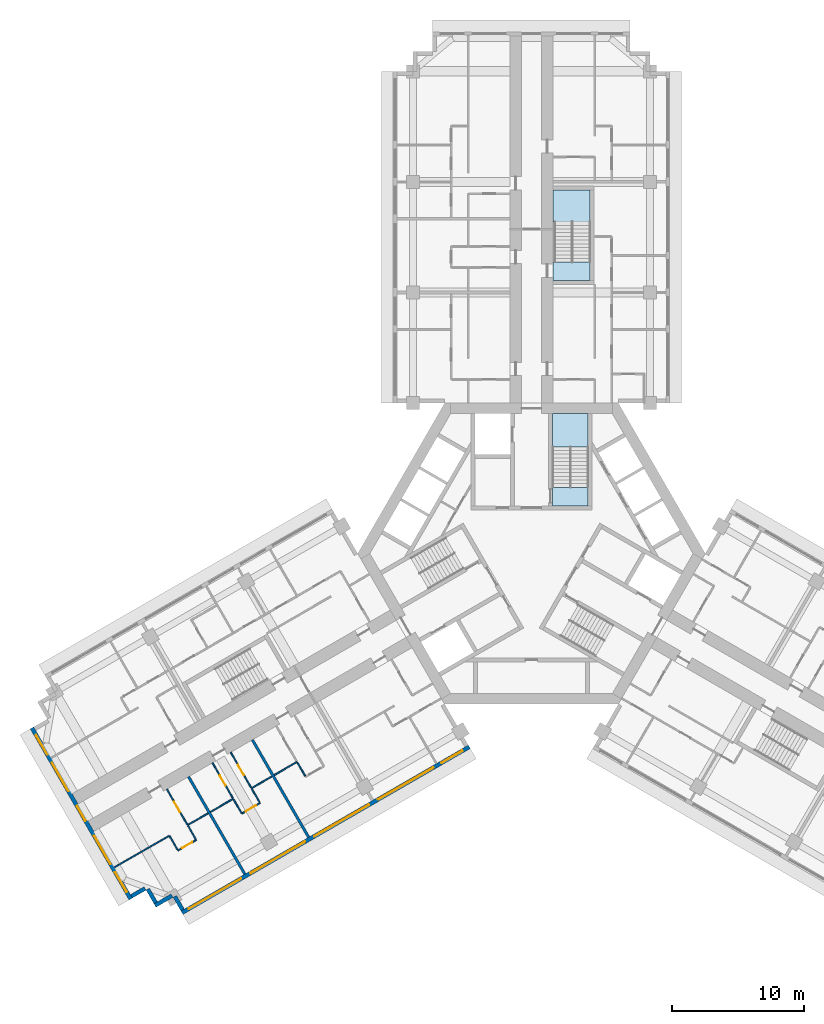
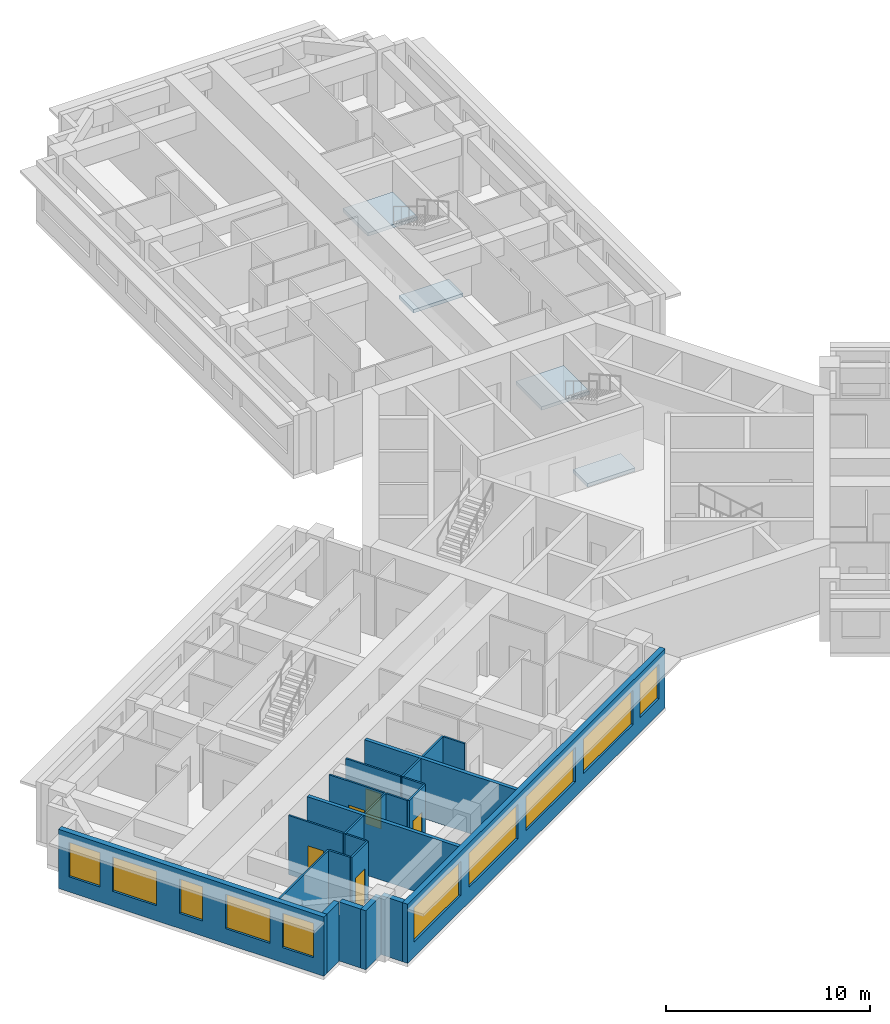
# One storey, part 2 of 13: 23 walls, 10 windows, 5 doors, 4 slabs, 15 openings, 2 elements without a shape of their own.
"""IFC4 building model written with IfcOpenShell, lengths in metres."""

from ifc_helpers import new_model, si_unit, direction, frame, frame_2d, origin, place, context, subcontext, project, spatial, polyline, rectangle, outline, extrude, material, layer, layer_set, type_object, element, fill, aggregate, save


model = new_model("IFC4")

# Units and contexts
model_context = context("Model", 3, precision=1e-05, world=origin(), true_north=direction((0.0, 1.0)))
body_context = subcontext(model_context, "Body", "Model", "MODEL_VIEW")
ifc_project = project(units=[si_unit("LENGTHUNIT", "METRE"), si_unit("AREAUNIT", "SQUARE_METRE"), si_unit("VOLUMEUNIT", "CUBIC_METRE"), si_unit("PLANEANGLEUNIT", "RADIAN"), si_unit("MASSUNIT", "GRAM", prefix="KILO")], contexts=[model_context])

# Site, building, storey
site_placement = place(None, origin())
site = spatial("IfcSite", under=ifc_project, at=site_placement, CompositionType="ELEMENT")
building_placement = place(site_placement, origin())
building = spatial("IfcBuilding", under=site, at=building_placement, Name="Impinga Residences", CompositionType="ELEMENT")
storey_placement = place(building_placement, frame((0.0, 0.0, 139.75)))
storey = spatial("IfcBuildingStorey", under=building, at=storey_placement, Name="L34", CompositionType="ELEMENT", Elevation=139.75)

# Stair, slabs
ifc_material_1 = material(Name="Concrete C40/50", Category="concrete")
stair_type_1 = type_object("IfcStairType", Name="STR core stair 3750 storey, 24 risers", PredefinedType="HALF_TURN_STAIR", material=ifc_material_1)
stair_1_placement = place(storey_placement, origin())
stair_1 = element("IfcStair", 1, at=stair_1_placement, inside=storey, type_object=stair_type_1, Name="Stair ST1 L34", PredefinedType="HALF_TURN_STAIR")
ifc_layer_1 = layer(ifc_material_1, 0.199951171875)
ifc_layer_set_1 = layer_set([ifc_layer_1], Name="Concrete C40/50")
slab_type = type_object("IfcSlabType", Name="LS1 stair landing 200", PredefinedType="LANDING", material=ifc_layer_set_1)
slab_1_placement = place(storey_placement, frame((0.0, 0.0, -0.199951171875)))
slab_1 = element("IfcSlab", 2, at=slab_1_placement, type_object=slab_type, Name="ST1 landing 1", PredefinedType="LANDING", context=body_context, shape_type="SweptSolid", body=[
    extrude(outline(polyline([(1.60009765625, 3.6298828125), (4.300048828125, 3.6298828125), (4.300048828125, 5.0400390625), (1.60009765625, 5.0400390625), (1.60009765625, 3.6298828125)])), origin(), (0.0, 0.0, 1.0), 0.199951171875),
])
slab_2_placement = place(storey_placement, frame((0.0, 0.0, 1.675048828125)))
slab_2 = element("IfcSlab", 3, at=slab_2_placement, type_object=slab_type, Name="ST1 landing 2", PredefinedType="LANDING", context=body_context, shape_type="SweptSolid", body=[
    extrude(outline(polyline([(1.60009765625, 8.10009765625), (4.300048828125, 8.10009765625), (4.300048828125, 10.631591796875), (1.60009765625, 10.631591796875), (1.60009765625, 8.10009765625)])), origin(), (0.0, 0.0, 1.0), 0.199951171875),
])
aggregate(stair_1, [slab_1, slab_2])

stair_type_2 = type_object("IfcStairType", Name="STR wing stair 3750 storey, 24 risers", PredefinedType="HALF_TURN_STAIR", material=ifc_material_1)
stair_2_placement = place(storey_placement, origin())
stair_2 = element("IfcStair", 4, at=stair_2_placement, inside=storey, type_object=stair_type_2, Name="Stair WS1 L34", PredefinedType="HALF_TURN_STAIR")
slab_3_placement = place(storey_placement, frame((0.0, 0.0, -0.199951171875)))
slab_3 = element("IfcSlab", 5, at=slab_3_placement, type_object=slab_type, Name="WS1 landing 1", PredefinedType="LANDING", context=body_context, shape_type="SweptSolid", body=[
    extrude(outline(polyline([(1.64990234375, 20.7314453125), (4.449951171875, 20.7314453125), (4.449951171875, 22.1416015625), (1.64990234375, 22.1416015625), (1.64990234375, 20.7314453125)])), origin(), (0.0, 0.0, 1.0), 0.199951171875),
])
slab_4_placement = place(storey_placement, frame((0.0, 0.0, 1.675048828125)))
slab_4 = element("IfcSlab", 6, at=slab_4_placement, type_object=slab_type, Name="WS1 landing 2", PredefinedType="LANDING", context=body_context, shape_type="SweptSolid", body=[
    extrude(outline(polyline([(1.64990234375, 25.201416015625), (4.449951171875, 25.201416015625), (4.449951171875, 27.631591796875), (1.64990234375, 27.631591796875), (1.64990234375, 25.201416015625)])), origin(), (0.0, 0.0, 1.0), 0.199951171875),
])
aggregate(stair_2, [slab_3, slab_4])

# Wall, openings, windows
ifc_material_2 = material(Name="Terracotta rainscreen on blockwork", Category="masonry")
ifc_layer_2 = layer(ifc_material_2, 0.300048828125)
ifc_layer_set_2 = layer_set([ifc_layer_2], Name="EW1 external wall, terracotta rainscreen on blockwork 300")
wall_type_1 = type_object("IfcWallType", Name="EW1 external wall, terracotta rainscreen on blockwork 300", PredefinedType="SOLIDWALL", material=ifc_layer_set_2)
wall_1_placement = place(storey_placement, frame((-4.72509765625, -14.67919921875, 0.0), z_axis=(0.0, 0.0, 1.0), x_axis=(-0.866026832479, -0.499997525421, 0.0)))
wall_1 = element("IfcWall", 7, at=wall_1_placement, inside=storey, type_object=wall_type_1, Name="External wall EW1 L34", PredefinedType="SOLIDWALL", context=body_context, shape_type="SweptSolid", body=[
    extrude(rectangle(XDim=25.199951171875, YDim=0.300048828125, at=frame_2d((12.60009765625, 0.0))), origin(), (0.0, 0.0, 1.0), 3.530029296875),
])
opening_1_placement = place(wall_1_placement, frame((0.60009765625, 0.0, 0.89990234375)))
opening_1 = element("IfcOpeningElement", 8, at=opening_1_placement, cuts=wall_1, Name="Opening W15", PredefinedType="OPENING", context=body_context, shape_type="SweptSolid", body=[
    extrude(rectangle(XDim=1.85009765625, YDim=2.050048828125, at=frame_2d((0.925048828125, 1.02490234375))), frame((0.0, 0.159912109375, 0.0), z_axis=(0.0, -1.0, 0.0), x_axis=(1.0, 0.0, 0.0)), (0.0, 0.0, 1.0), 0.320068359375),
])
opening_2_placement = place(wall_1_placement, frame((3.14990234375, 0.0, 0.89990234375)))
opening_2 = element("IfcOpeningElement", 9, at=opening_2_placement, cuts=wall_1, Name="Opening W6", PredefinedType="OPENING", context=body_context, shape_type="SweptSolid", body=[
    extrude(rectangle(XDim=4.85009765625, YDim=2.050048828125, at=frame_2d((2.425048828125, 1.02490234375))), frame((0.0, 0.159912109375, 0.0), z_axis=(0.0, -1.0, 0.0), x_axis=(1.0, 0.0, 0.0)), (0.0, 0.0, 1.0), 0.320068359375),
])
opening_3_placement = place(wall_1_placement, frame((8.800048828125, 0.0, 0.89990234375)))
opening_3 = element("IfcOpeningElement", 10, at=opening_3_placement, cuts=wall_1, Name="Opening W8", PredefinedType="OPENING", context=body_context, shape_type="SweptSolid", body=[
    extrude(rectangle(XDim=4.800048828125, YDim=2.050048828125, at=frame_2d((2.39990234375, 1.02490234375))), frame((0.0, 0.159912109375, 0.0), z_axis=(0.0, -1.0, 0.0), x_axis=(1.0, 0.0, 0.0)), (0.0, 0.0, 1.0), 0.320068359375),
])
opening_4_placement = place(wall_1_placement, frame((14.39990234375, 0.0, 0.89990234375)))
opening_4 = element("IfcOpeningElement", 11, at=opening_4_placement, cuts=wall_1, Name="Opening W8", PredefinedType="OPENING", context=body_context, shape_type="SweptSolid", body=[
    extrude(rectangle(XDim=4.800048828125, YDim=2.050048828125, at=frame_2d((2.39990234375, 1.02490234375))), frame((0.0, 0.159912109375, 0.0), z_axis=(0.0, -1.0, 0.0), x_axis=(1.0, 0.0, 0.0)), (0.0, 0.0, 1.0), 0.320068359375),
])
opening_5_placement = place(wall_1_placement, frame((20.0, 0.0, 0.89990234375)))
opening_5 = element("IfcOpeningElement", 12, at=opening_5_placement, cuts=wall_1, Name="Opening W3", PredefinedType="OPENING", context=body_context, shape_type="SweptSolid", body=[
    extrude(rectangle(XDim=4.60009765625, YDim=2.050048828125, at=frame_2d((2.300048828125, 1.02490234375))), frame((0.0, 0.159912109375, 0.0), z_axis=(0.0, -1.0, 0.0), x_axis=(1.0, 0.0, 0.0)), (0.0, 0.0, 1.0), 0.320068359375),
])
ifc_material_3 = material(Name="Aluminium window, clear double glazing", Category="aluminium")
window_type_1 = type_object("IfcWindowType", Name="W15 ribbon window 1850x2050", PartitioningType="SINGLE_PANEL", PredefinedType="WINDOW", material=ifc_material_3)
window_1_placement = place(opening_1_placement, origin())
window_1 = element("IfcWindow", 13, at=window_1_placement, inside=storey, type_object=window_type_1, Name="Window L34", OverallHeight=2.050048828125, OverallWidth=1.85009765625, PartitioningType="SINGLE_PANEL", PredefinedType="WINDOW", context=body_context, shape_type="SweptSolid", body=[
    extrude(rectangle(XDim=1.85009765625, YDim=2.050048828125, at=frame_2d((0.925048828125, 1.02490234375))), frame((0.0, 0.030029296875, 0.0), z_axis=(0.0, -1.0, 0.0), x_axis=(1.0, 0.0, 0.0)), (0.0, 0.0, 1.0), 0.06005859375),
])
fill(opening_1, window_1)
window_type_2 = type_object("IfcWindowType", Name="W3 ribbon window 4600x2050", PartitioningType="SINGLE_PANEL", PredefinedType="WINDOW", material=ifc_material_3)
window_2_placement = place(opening_5_placement, origin())
window_2 = element("IfcWindow", 14, at=window_2_placement, inside=storey, type_object=window_type_2, Name="Window L34", OverallHeight=2.050048828125, OverallWidth=4.60009765625, PartitioningType="SINGLE_PANEL", PredefinedType="WINDOW", context=body_context, shape_type="SweptSolid", body=[
    extrude(rectangle(XDim=4.60009765625, YDim=2.050048828125, at=frame_2d((2.300048828125, 1.02490234375))), frame((0.0, 0.030029296875, 0.0), z_axis=(0.0, -1.0, 0.0), x_axis=(1.0, 0.0, 0.0)), (0.0, 0.0, 1.0), 0.06005859375),
])
fill(opening_5, window_2)
window_type_3 = type_object("IfcWindowType", Name="W6 ribbon window 4850x2050", PartitioningType="SINGLE_PANEL", PredefinedType="WINDOW", material=ifc_material_3)
window_3_placement = place(opening_2_placement, origin())
window_3 = element("IfcWindow", 15, at=window_3_placement, inside=storey, type_object=window_type_3, Name="Window L34", OverallHeight=2.050048828125, OverallWidth=4.85009765625, PartitioningType="SINGLE_PANEL", PredefinedType="WINDOW", context=body_context, shape_type="SweptSolid", body=[
    extrude(rectangle(XDim=4.85009765625, YDim=2.050048828125, at=frame_2d((2.425048828125, 1.02490234375))), frame((0.0, 0.030029296875, 0.0), z_axis=(0.0, -1.0, 0.0), x_axis=(1.0, 0.0, 0.0)), (0.0, 0.0, 1.0), 0.06005859375),
])
fill(opening_2, window_3)
window_type_4 = type_object("IfcWindowType", Name="W8 ribbon window 4800x2050", PartitioningType="SINGLE_PANEL", PredefinedType="WINDOW", material=ifc_material_3)
window_4_placement = place(opening_3_placement, origin())
window_4 = element("IfcWindow", 16, at=window_4_placement, inside=storey, type_object=window_type_4, Name="Window L34", OverallHeight=2.050048828125, OverallWidth=4.800048828125, PartitioningType="SINGLE_PANEL", PredefinedType="WINDOW", context=body_context, shape_type="SweptSolid", body=[
    extrude(rectangle(XDim=4.800048828125, YDim=2.050048828125, at=frame_2d((2.39990234375, 1.02490234375))), frame((0.0, 0.030029296875, 0.0), z_axis=(0.0, -1.0, 0.0), x_axis=(1.0, 0.0, 0.0)), (0.0, 0.0, 1.0), 0.06005859375),
])
fill(opening_3, window_4)
window_5_placement = place(opening_4_placement, origin())
window_5 = element("IfcWindow", 17, at=window_5_placement, inside=storey, type_object=window_type_4, Name="Window L34", OverallHeight=2.050048828125, OverallWidth=4.800048828125, PartitioningType="SINGLE_PANEL", PredefinedType="WINDOW", context=body_context, shape_type="SweptSolid", body=[
    extrude(rectangle(XDim=4.800048828125, YDim=2.050048828125, at=frame_2d((2.39990234375, 1.02490234375))), frame((0.0, 0.030029296875, 0.0), z_axis=(0.0, -1.0, 0.0), x_axis=(1.0, 0.0, 0.0)), (0.0, 0.0, 1.0), 0.06005859375),
])
fill(opening_4, window_5)

# Walls
wall_2_placement = place(storey_placement, frame((-26.493896484375, -27.07421875, 0.0), z_axis=(0.0, 0.0, 1.0), x_axis=(-0.500033551112, 0.866006032174, 0.0)))
element("IfcWall", 18, at=wall_2_placement, inside=storey, type_object=wall_type_1, Name="External wall EW1 L34", PredefinedType="SOLIDWALL", context=body_context, shape_type="SweptSolid", body=[
    extrude(rectangle(XDim=1.2001953125, YDim=0.300048828125, at=frame_2d((0.60009765625, 0.0))), origin(), (0.0, 0.0, 1.0), 3.530029296875),
])
wall_3_placement = place(storey_placement, frame((-27.30322265625, -25.982666015625, 0.0), z_axis=(0.0, 0.0, 1.0), x_axis=(-0.866074087889, -0.499915667175, 0.0)))
element("IfcWall", 19, at=wall_3_placement, inside=storey, type_object=wall_type_1, Name="External wall EW1 L34", PredefinedType="SOLIDWALL", context=body_context, shape_type="SweptSolid", body=[
    extrude(rectangle(XDim=1.494873046875, YDim=0.300048828125, at=frame_2d((0.74755859375, 0.0))), origin(), (0.0, 0.0, 1.0), 3.530029296875),
])
wall_4_placement = place(storey_placement, frame((-28.54296875, -26.525146484375, 0.0), z_axis=(0.0, 0.0, 1.0), x_axis=(-0.500033551112, 0.866006032174, 0.0)))
element("IfcWall", 20, at=wall_4_placement, inside=storey, type_object=wall_type_1, Name="External wall EW1 L34", PredefinedType="SOLIDWALL", context=body_context, shape_type="SweptSolid", body=[
    extrude(rectangle(XDim=1.2001953125, YDim=0.300048828125, at=frame_2d((0.60009765625, 0.0))), origin(), (0.0, 0.0, 1.0), 3.530029296875),
])
wall_5_placement = place(storey_placement, frame((-29.352294921875, -25.43359375, 0.0), z_axis=(0.0, 0.0, 1.0), x_axis=(-0.866059708757, -0.499940577336, 0.0)))
element("IfcWall", 21, at=wall_5_placement, inside=storey, type_object=wall_type_1, Name="External wall EW1 L34", PredefinedType="SOLIDWALL", context=body_context, shape_type="SweptSolid", body=[
    extrude(rectangle(XDim=1.195068359375, YDim=0.300048828125, at=frame_2d((0.59765625, 0.0))), origin(), (0.0, 0.0, 1.0), 3.530029296875),
])

# Wall, openings, windows
wall_6_placement = place(storey_placement, frame((-30.44189453125, -26.23583984375, 0.0), z_axis=(0.0, 0.0, 1.0), x_axis=(-0.500004234368, 0.866022959057, 0.0)))
wall_6 = element("IfcWall", 22, at=wall_6_placement, inside=storey, type_object=wall_type_1, Name="External wall EW1 L34", PredefinedType="SOLIDWALL", context=body_context, shape_type="SweptSolid", body=[
    extrude(rectangle(XDim=14.999755859375, YDim=0.300048828125, at=frame_2d((7.5, 0.0))), origin(), (0.0, 0.0, 1.0), 3.530029296875),
])
opening_6_placement = place(wall_6_placement, frame((0.60009765625, 0.0, 0.89990234375)))
opening_6 = element("IfcOpeningElement", 23, at=opening_6_placement, cuts=wall_6, Name="Opening W1", PredefinedType="OPENING", context=body_context, shape_type="SweptSolid", body=[
    extrude(rectangle(XDim=1.75, YDim=2.050048828125, at=frame_2d((0.875, 1.02490234375))), frame((0.0, 0.159912109375, 0.0), z_axis=(0.0, -1.0, 0.0), x_axis=(1.0, 0.0, 0.0)), (0.0, 0.0, 1.0), 0.320068359375),
])
opening_7_placement = place(wall_6_placement, frame((3.050048828125, 0.0, 0.89990234375)))
opening_7 = element("IfcOpeningElement", 24, at=opening_7_placement, cuts=wall_6, Name="Opening W2", PredefinedType="OPENING", context=body_context, shape_type="SweptSolid", body=[
    extrude(rectangle(XDim=2.5, YDim=2.050048828125, at=frame_2d((1.25, 1.02490234375))), frame((0.0, 0.159912109375, 0.0), z_axis=(0.0, -1.0, 0.0), x_axis=(1.0, 0.0, 0.0)), (0.0, 0.0, 1.0), 0.320068359375),
])
opening_8_placement = place(wall_6_placement, frame((6.85009765625, 0.0, 0.89990234375)))
opening_8 = element("IfcOpeningElement", 25, at=opening_8_placement, cuts=wall_6, Name="Opening WE1", PredefinedType="OPENING", context=body_context, shape_type="SweptSolid", body=[
    extrude(rectangle(XDim=1.300048828125, YDim=2.050048828125, at=frame_2d((0.64990234375, 1.02490234375))), frame((0.0, 0.159912109375, 0.0), z_axis=(0.0, -1.0, 0.0), x_axis=(1.0, 0.0, 0.0)), (0.0, 0.0, 1.0), 0.320068359375),
])
opening_9_placement = place(wall_6_placement, frame((9.449951171875, 0.0, 0.89990234375)))
opening_9 = element("IfcOpeningElement", 26, at=opening_9_placement, cuts=wall_6, Name="Opening W2", PredefinedType="OPENING", context=body_context, shape_type="SweptSolid", body=[
    extrude(rectangle(XDim=2.5, YDim=2.050048828125, at=frame_2d((1.25, 1.02490234375))), frame((0.0, 0.159912109375, 0.0), z_axis=(0.0, -1.0, 0.0), x_axis=(1.0, 0.0, 0.0)), (0.0, 0.0, 1.0), 0.320068359375),
])
opening_10_placement = place(wall_6_placement, frame((12.64990234375, 0.0, 0.89990234375)))
opening_10 = element("IfcOpeningElement", 27, at=opening_10_placement, cuts=wall_6, Name="Opening W1", PredefinedType="OPENING", context=body_context, shape_type="SweptSolid", body=[
    extrude(rectangle(XDim=1.75, YDim=2.050048828125, at=frame_2d((0.875, 1.02490234375))), frame((0.0, 0.159912109375, 0.0), z_axis=(0.0, -1.0, 0.0), x_axis=(1.0, 0.0, 0.0)), (0.0, 0.0, 1.0), 0.320068359375),
])
window_type_5 = type_object("IfcWindowType", Name="W1 ribbon window 1750x2050", PartitioningType="SINGLE_PANEL", PredefinedType="WINDOW", material=ifc_material_3)
window_6_placement = place(opening_6_placement, origin())
window_6 = element("IfcWindow", 28, at=window_6_placement, inside=storey, type_object=window_type_5, Name="Window L34", OverallHeight=2.050048828125, OverallWidth=1.75, PartitioningType="SINGLE_PANEL", PredefinedType="WINDOW", context=body_context, shape_type="SweptSolid", body=[
    extrude(rectangle(XDim=1.75, YDim=2.050048828125, at=frame_2d((0.875, 1.02490234375))), frame((0.0, 0.030029296875, 0.0), z_axis=(0.0, -1.0, 0.0), x_axis=(1.0, 0.0, 0.0)), (0.0, 0.0, 1.0), 0.06005859375),
])
fill(opening_6, window_6)
window_7_placement = place(opening_10_placement, origin())
window_7 = element("IfcWindow", 29, at=window_7_placement, inside=storey, type_object=window_type_5, Name="Window L34", OverallHeight=2.050048828125, OverallWidth=1.75, PartitioningType="SINGLE_PANEL", PredefinedType="WINDOW", context=body_context, shape_type="SweptSolid", body=[
    extrude(rectangle(XDim=1.75, YDim=2.050048828125, at=frame_2d((0.875, 1.02490234375))), frame((0.0, 0.030029296875, 0.0), z_axis=(0.0, -1.0, 0.0), x_axis=(1.0, 0.0, 0.0)), (0.0, 0.0, 1.0), 0.06005859375),
])
fill(opening_10, window_7)
window_type_6 = type_object("IfcWindowType", Name="W2 ribbon window 2500x2050", PartitioningType="SINGLE_PANEL", PredefinedType="WINDOW", material=ifc_material_3)
window_8_placement = place(opening_7_placement, origin())
window_8 = element("IfcWindow", 30, at=window_8_placement, inside=storey, type_object=window_type_6, Name="Window L34", OverallHeight=2.050048828125, OverallWidth=2.5, PartitioningType="SINGLE_PANEL", PredefinedType="WINDOW", context=body_context, shape_type="SweptSolid", body=[
    extrude(rectangle(XDim=2.5, YDim=2.050048828125, at=frame_2d((1.25, 1.02490234375))), frame((0.0, 0.030029296875, 0.0), z_axis=(0.0, -1.0, 0.0), x_axis=(1.0, 0.0, 0.0)), (0.0, 0.0, 1.0), 0.06005859375),
])
fill(opening_7, window_8)
window_9_placement = place(opening_9_placement, origin())
window_9 = element("IfcWindow", 31, at=window_9_placement, inside=storey, type_object=window_type_6, Name="Window L34", OverallHeight=2.050048828125, OverallWidth=2.5, PartitioningType="SINGLE_PANEL", PredefinedType="WINDOW", context=body_context, shape_type="SweptSolid", body=[
    extrude(rectangle(XDim=2.5, YDim=2.050048828125, at=frame_2d((1.25, 1.02490234375))), frame((0.0, 0.030029296875, 0.0), z_axis=(0.0, -1.0, 0.0), x_axis=(1.0, 0.0, 0.0)), (0.0, 0.0, 1.0), 0.06005859375),
])
fill(opening_9, window_9)
window_type_7 = type_object("IfcWindowType", Name="WE1 corridor window 1300x2050", PartitioningType="SINGLE_PANEL", PredefinedType="WINDOW", material=ifc_material_3)
window_10_placement = place(opening_8_placement, origin())
window_10 = element("IfcWindow", 32, at=window_10_placement, inside=storey, type_object=window_type_7, Name="Window L34", OverallHeight=2.050048828125, OverallWidth=1.300048828125, PartitioningType="SINGLE_PANEL", PredefinedType="WINDOW", context=body_context, shape_type="SweptSolid", body=[
    extrude(rectangle(XDim=1.300048828125, YDim=2.050048828125, at=frame_2d((0.64990234375, 1.02490234375))), frame((0.0, 0.030029296875, 0.0), z_axis=(0.0, -1.0, 0.0), x_axis=(1.0, 0.0, 0.0)), (0.0, 0.0, 1.0), 0.06005859375),
])
fill(opening_8, window_10)

# Walls
ifc_material_4 = material(Name="Gypsum board on steel studs", Category="steel")
ifc_layer_3 = layer(ifc_material_4, 0.10009765625)
ifc_layer_set_3 = layer_set([ifc_layer_3], Name="Gypsum board on steel studs")
wall_type_2 = type_object("IfcWallType", Name="IP1 partition 100", PredefinedType="PARTITIONING", material=ifc_layer_set_3)
wall_7_placement = place(storey_placement, frame((-17.8056640625, -15.82275390625, 0.0), z_axis=(0.0, 0.0, 1.0), x_axis=(-0.866041268327, -0.499972520799, 0.0)))
element("IfcWall", 33, at=wall_7_placement, inside=storey, type_object=wall_type_2, Name="Partition L34-WA2:DIV1", PredefinedType="PARTITIONING", context=body_context, shape_type="SweptSolid", body=[
    extrude(rectangle(XDim=2.0, YDim=0.10009765625, at=frame_2d((1.0, 0.0))), origin(), (0.0, 0.0, 1.0), 3.530029296875),
])
wall_8_placement = place(storey_placement, frame((-17.78076171875, -15.865966796875, 0.0), z_axis=(0.0, 0.0, 1.0), x_axis=(0.500033551112, -0.866006032174, 0.0)))
element("IfcWall", 34, at=wall_8_placement, inside=storey, type_object=wall_type_2, Name="Partition L34-WA2:SE1", PredefinedType="PARTITIONING", context=body_context, shape_type="SweptSolid", body=[
    extrude(rectangle(XDim=1.2001953125, YDim=0.10009765625, at=frame_2d((0.60009765625, 0.0))), origin(), (0.0, 0.0, 1.0), 3.530029296875),
])
wall_9_placement = place(storey_placement, frame((-19.7109375, -16.922607421875, 0.0), z_axis=(0.0, 0.0, 1.0), x_axis=(-0.865989075817, -0.500062916607, 0.0)))
element("IfcWall", 35, at=wall_9_placement, inside=storey, type_object=wall_type_2, Name="Partition L34-WA3:DIV0", PredefinedType="PARTITIONING", context=body_context, shape_type="SweptSolid", body=[
    extrude(rectangle(XDim=1.800048828125, YDim=0.10009765625, at=frame_2d((0.89990234375, 0.0))), origin(), (0.0, 0.0, 1.0), 3.530029296875),
])
wall_10_placement = place(storey_placement, frame((-22.655517578125, -18.622802734375, 0.0), z_axis=(0.0, 0.0, 1.0), x_axis=(-0.866010750942, -0.50002537861, 0.0)))
element("IfcWall", 36, at=wall_10_placement, inside=storey, type_object=wall_type_2, Name="Partition L34-WA3:DIV1", PredefinedType="PARTITIONING", context=body_context, shape_type="SweptSolid", body=[
    extrude(rectangle(XDim=2.0, YDim=0.10009765625, at=frame_2d((1.0, 0.0))), origin(), (0.0, 0.0, 1.0), 3.530029296875),
])

# Wall, opening, door
wall_11_placement = place(storey_placement, frame((-20.619873046875, -18.948486328125, 0.0), z_axis=(0.0, 0.0, 1.0), x_axis=(-0.865989903783, -0.500061482766, 0.0)))
wall_11 = element("IfcWall", 37, at=wall_11_placement, inside=storey, type_object=wall_type_2, Name="Partition L34-WA3:STRIP", PredefinedType="PARTITIONING", context=body_context, shape_type="SweptSolid", body=[
    extrude(rectangle(XDim=1.599853515625, YDim=0.10009765625, at=frame_2d((0.7998046875, 0.0))), origin(), (0.0, 0.0, 1.0), 3.530029296875),
])
opening_11_placement = place(wall_11_placement, frame((0.35009765625, 0.0, 0.0)))
opening_11 = element("IfcOpeningElement", 38, at=opening_11_placement, cuts=wall_11, Name="Opening D2", PredefinedType="OPENING", context=body_context, shape_type="SweptSolid", body=[
    extrude(rectangle(XDim=0.89990234375, YDim=2.10009765625, at=frame_2d((0.449951171875, 1.050048828125))), frame((0.0, 0.06005859375, 0.0), z_axis=(0.0, -1.0, 0.0), x_axis=(1.0, 0.0, 0.0)), (0.0, 0.0, 1.0), 0.1201171875),
])
ifc_material_5 = material(Name="Timber door set", Category="wood")
door_type = type_object("IfcDoorType", Name="D2 internal door 900x2100", OperationType="SINGLE_SWING_LEFT", PredefinedType="DOOR", material=ifc_material_5)
door_1_placement = place(opening_11_placement, origin())
door_1 = element("IfcDoor", 39, at=door_1_placement, inside=storey, type_object=door_type, Name="Apartment L34-WA3 room door", OperationType="SINGLE_SWING_LEFT", OverallHeight=2.10009765625, OverallWidth=0.89990234375, PredefinedType="DOOR", context=body_context, shape_type="SweptSolid", body=[
    extrude(rectangle(XDim=0.89990234375, YDim=2.10009765625, at=frame_2d((0.449951171875, 1.050048828125))), frame((0.0, 0.02490234375, 0.0), z_axis=(0.0, -1.0, 0.0), x_axis=(1.0, 0.0, 0.0)), (0.0, 0.0, 1.0), 0.050048828125),
])
fill(opening_11, door_1)

# Walls
wall_12_placement = place(storey_placement, frame((-21.244873046875, -17.865966796875, 0.0), z_axis=(0.0, 0.0, 1.0), x_axis=(0.500033551112, -0.866006032174, 0.0)))
element("IfcWall", 40, at=wall_12_placement, inside=storey, type_object=wall_type_2, Name="Partition L34-WA3:SE0", PredefinedType="PARTITIONING", context=body_context, shape_type="SweptSolid", body=[
    extrude(rectangle(XDim=1.2001953125, YDim=0.10009765625, at=frame_2d((0.60009765625, 0.0))), origin(), (0.0, 0.0, 1.0), 3.530029296875),
])
wall_13_placement = place(storey_placement, frame((-22.63037109375, -18.666015625, 0.0), z_axis=(0.0, 0.0, 1.0), x_axis=(0.499880961361, -0.866094119867, 0.0)))
element("IfcWall", 41, at=wall_13_placement, inside=storey, type_object=wall_type_2, Name="Partition L34-WA3:SE1", PredefinedType="PARTITIONING", context=body_context, shape_type="SweptSolid", body=[
    extrude(rectangle(XDim=1.199951171875, YDim=0.10009765625, at=frame_2d((0.60009765625, 0.0))), origin(), (0.0, 0.0, 1.0), 3.530029296875),
])

# Wall, opening, door
wall_14_placement = place(storey_placement, frame((-22.8447265625, -15.0947265625, 0.0), z_axis=(0.0, 0.0, 1.0), x_axis=(0.499967891604, -0.866043940782, 0.0)))
wall_14 = element("IfcWall", 42, at=wall_14_placement, inside=storey, type_object=wall_type_2, Name="Partition L34-WA3:IB1", PredefinedType="PARTITIONING", context=body_context, shape_type="SweptSolid", body=[
    extrude(rectangle(XDim=3.099853515625, YDim=0.10009765625, at=frame_2d((1.5498046875, 0.0))), origin(), (0.0, 0.0, 1.0), 3.530029296875),
])
opening_12_placement = place(wall_14_placement, frame((1.10009765625, 0.0, 0.0)))
opening_12 = element("IfcOpeningElement", 43, at=opening_12_placement, cuts=wall_14, Name="Opening D2", PredefinedType="OPENING", context=body_context, shape_type="SweptSolid", body=[
    extrude(rectangle(XDim=0.89990234375, YDim=2.10009765625, at=frame_2d((0.449951171875, 1.050048828125))), frame((0.0, 0.06005859375, 0.0), z_axis=(0.0, -1.0, 0.0), x_axis=(1.0, 0.0, 0.0)), (0.0, 0.0, 1.0), 0.1201171875),
])
door_2_placement = place(opening_12_placement, origin())
door_2 = element("IfcDoor", 44, at=door_2_placement, inside=storey, type_object=door_type, Name="Apartment L34-WA3 bathroom door", OperationType="SINGLE_SWING_LEFT", OverallHeight=2.10009765625, OverallWidth=0.89990234375, PredefinedType="DOOR", context=body_context, shape_type="SweptSolid", body=[
    extrude(rectangle(XDim=0.89990234375, YDim=2.10009765625, at=frame_2d((0.449951171875, 1.050048828125))), frame((0.0, 0.02490234375, 0.0), z_axis=(0.0, -1.0, 0.0), x_axis=(1.0, 0.0, 0.0)), (0.0, 0.0, 1.0), 0.050048828125),
])
fill(opening_12, door_2)

wall_15_placement = place(storey_placement, frame((-24.23046875, -15.894775390625, 0.0), z_axis=(0.0, 0.0, 1.0), x_axis=(0.500026960575, -0.86600983753, 0.0)))
wall_15 = element("IfcWall", 45, at=wall_15_placement, inside=storey, type_object=wall_type_2, Name="Partition L34-WA3:IB2", PredefinedType="PARTITIONING", context=body_context, shape_type="SweptSolid", body=[
    extrude(rectangle(XDim=3.099853515625, YDim=0.10009765625, at=frame_2d((1.5498046875, 0.0))), origin(), (0.0, 0.0, 1.0), 3.530029296875),
])
opening_13_placement = place(wall_15_placement, frame((1.10009765625, 0.0, 0.0)))
opening_13 = element("IfcOpeningElement", 46, at=opening_13_placement, cuts=wall_15, Name="Opening D2", PredefinedType="OPENING", context=body_context, shape_type="SweptSolid", body=[
    extrude(rectangle(XDim=0.89990234375, YDim=2.10009765625, at=frame_2d((0.449951171875, 1.050048828125))), frame((0.0, 0.06005859375, 0.0), z_axis=(0.0, -1.0, 0.0), x_axis=(1.0, 0.0, 0.0)), (0.0, 0.0, 1.0), 0.1201171875),
])
door_3_placement = place(opening_13_placement, origin())
door_3 = element("IfcDoor", 47, at=door_3_placement, inside=storey, type_object=door_type, Name="Apartment L34-WA3 WC door", OperationType="SINGLE_SWING_LEFT", OverallHeight=2.10009765625, OverallWidth=0.89990234375, PredefinedType="DOOR", context=body_context, shape_type="SweptSolid", body=[
    extrude(rectangle(XDim=0.89990234375, YDim=2.10009765625, at=frame_2d((0.449951171875, 1.050048828125))), frame((0.0, 0.02490234375, 0.0), z_axis=(0.0, -1.0, 0.0), x_axis=(1.0, 0.0, 0.0)), (0.0, 0.0, 1.0), 0.050048828125),
])
fill(opening_13, door_3)

# Walls
wall_16_placement = place(storey_placement, frame((-24.560791015625, -19.72265625, 0.0), z_axis=(0.0, 0.0, 1.0), x_axis=(-0.865989075817, -0.500062916607, 0.0)))
element("IfcWall", 48, at=wall_16_placement, inside=storey, type_object=wall_type_2, Name="Partition L34-WA4:DIV0", PredefinedType="PARTITIONING", context=body_context, shape_type="SweptSolid", body=[
    extrude(rectangle(XDim=1.800048828125, YDim=0.10009765625, at=frame_2d((0.89990234375, 0.0))), origin(), (0.0, 0.0, 1.0), 3.530029296875),
])
wall_17_placement = place(storey_placement, frame((-27.505126953125, -21.422607421875, 0.0), z_axis=(0.0, 0.0, 1.0), x_axis=(-0.866015339567, -0.500017431331, 0.0)))
element("IfcWall", 49, at=wall_17_placement, inside=storey, type_object=wall_type_2, Name="Partition L34-WA4:DIV1", PredefinedType="PARTITIONING", context=body_context, shape_type="SweptSolid", body=[
    extrude(rectangle(XDim=4.800048828125, YDim=0.10009765625, at=frame_2d((2.39990234375, 0.0))), origin(), (0.0, 0.0, 1.0), 3.530029296875),
])

# Wall, opening, door
wall_18_placement = place(storey_placement, frame((-25.469482421875, -21.74853515625, 0.0), z_axis=(0.0, 0.0, 1.0), x_axis=(-0.866028054938, -0.499995408039, 0.0)))
wall_18 = element("IfcWall", 50, at=wall_18_placement, inside=storey, type_object=wall_type_2, Name="Partition L34-WA4:STRIP", PredefinedType="PARTITIONING", context=body_context, shape_type="SweptSolid", body=[
    extrude(rectangle(XDim=1.60009765625, YDim=0.10009765625, at=frame_2d((0.800048828125, 0.0))), origin(), (0.0, 0.0, 1.0), 3.530029296875),
])
opening_14_placement = place(wall_18_placement, frame((0.35009765625, 0.0, 0.0)))
opening_14 = element("IfcOpeningElement", 51, at=opening_14_placement, cuts=wall_18, Name="Opening D2", PredefinedType="OPENING", context=body_context, shape_type="SweptSolid", body=[
    extrude(rectangle(XDim=0.89990234375, YDim=2.10009765625, at=frame_2d((0.449951171875, 1.050048828125))), frame((0.0, 0.06005859375, 0.0), z_axis=(0.0, -1.0, 0.0), x_axis=(1.0, 0.0, 0.0)), (0.0, 0.0, 1.0), 0.1201171875),
])
door_4_placement = place(opening_14_placement, origin())
door_4 = element("IfcDoor", 52, at=door_4_placement, inside=storey, type_object=door_type, Name="Apartment L34-WA4 room door", OperationType="SINGLE_SWING_LEFT", OverallHeight=2.10009765625, OverallWidth=0.89990234375, PredefinedType="DOOR", context=body_context, shape_type="SweptSolid", body=[
    extrude(rectangle(XDim=0.89990234375, YDim=2.10009765625, at=frame_2d((0.449951171875, 1.050048828125))), frame((0.0, 0.02490234375, 0.0), z_axis=(0.0, -1.0, 0.0), x_axis=(1.0, 0.0, 0.0)), (0.0, 0.0, 1.0), 0.050048828125),
])
fill(opening_14, door_4)

# Walls
for number, where, z_axis, x_axis, name in (
    (53, (-26.094482421875, -20.666015625, 0.0), (0.0, 0.0, 1.0), (0.499880961361, -0.866094119867, 0.0), "Partition L34-WA4:SE0"),
    (54, (-27.480224609375, -21.466064453125, 0.0), (0.0, 0.0, 1.0), (0.50012165622, -0.865955154139, 0.0), "Partition L34-WA4:SE1"),
):
    element("IfcWall", number, at=place(storey_placement, frame(where, z_axis=z_axis, x_axis=x_axis)), inside=storey, type_object=wall_type_2, Name=name, PredefinedType="PARTITIONING", context=body_context, shape_type="SweptSolid", body=[
        extrude(rectangle(XDim=1.199951171875, YDim=0.10009765625, at=frame_2d((0.60009765625, 0.0))), origin(), (0.0, 0.0, 1.0), 3.530029296875),
    ])

# Wall, opening, door
wall_19_placement = place(storey_placement, frame((-27.694580078125, -17.894775390625, 0.0), z_axis=(0.0, 0.0, 1.0), x_axis=(0.500026960575, -0.86600983753, 0.0)))
wall_19 = element("IfcWall", 55, at=wall_19_placement, inside=storey, type_object=wall_type_2, Name="Partition L34-WA4:IB1", PredefinedType="PARTITIONING", context=body_context, shape_type="SweptSolid", body=[
    extrude(rectangle(XDim=3.099853515625, YDim=0.10009765625, at=frame_2d((1.5498046875, 0.0))), origin(), (0.0, 0.0, 1.0), 3.530029296875),
])
opening_15_placement = place(wall_19_placement, frame((1.10009765625, 0.0, 0.0)))
opening_15 = element("IfcOpeningElement", 56, at=opening_15_placement, cuts=wall_19, Name="Opening D2", PredefinedType="OPENING", context=body_context, shape_type="SweptSolid", body=[
    extrude(rectangle(XDim=0.89990234375, YDim=2.10009765625, at=frame_2d((0.449951171875, 1.050048828125))), frame((0.0, 0.06005859375, 0.0), z_axis=(0.0, -1.0, 0.0), x_axis=(1.0, 0.0, 0.0)), (0.0, 0.0, 1.0), 0.1201171875),
])
door_5_placement = place(opening_15_placement, origin())
door_5 = element("IfcDoor", 57, at=door_5_placement, inside=storey, type_object=door_type, Name="Apartment L34-WA4 bathroom door", OperationType="SINGLE_SWING_LEFT", OverallHeight=2.10009765625, OverallWidth=0.89990234375, PredefinedType="DOOR", context=body_context, shape_type="SweptSolid", body=[
    extrude(rectangle(XDim=0.89990234375, YDim=2.10009765625, at=frame_2d((0.449951171875, 1.050048828125))), frame((0.0, 0.02490234375, 0.0), z_axis=(0.0, -1.0, 0.0), x_axis=(1.0, 0.0, 0.0)), (0.0, 0.0, 1.0), 0.050048828125),
])
fill(opening_15, door_5)

# Walls
ifc_material_6 = material(Name="Concrete blockwork", Category="masonry")
ifc_layer_4 = layer(ifc_material_6, 0.199951171875)
ifc_layer_set_4 = layer_set([ifc_layer_4], Name="PW1 party wall between apartments 200")
wall_type_3 = type_object("IfcWallType", Name="PW1 party wall between apartments 200", PredefinedType="SOLIDWALL", material=ifc_layer_set_4)
wall_20_placement = place(storey_placement, frame((-21.199462890625, -14.144775390625, 0.0), z_axis=(0.0, 0.0, 1.0), x_axis=(0.500011643316, -0.866018681408, 0.0)))
element("IfcWall", 58, at=wall_20_placement, inside=storey, type_object=wall_type_3, Name="Party wall between apartments L34-WA2:PARTY", PredefinedType="SOLIDWALL", context=body_context, shape_type="SweptSolid", body=[
    extrude(rectangle(XDim=8.550048828125, YDim=0.199951171875, at=frame_2d((4.27490234375, 0.0))), origin(), (0.0, 0.0, 1.0), 3.530029296875),
])
wall_21_placement = place(storey_placement, frame((-26.049072265625, -16.94482421875, 0.0), z_axis=(0.0, 0.0, 1.0), x_axis=(0.500002592159, -0.866023907196, 0.0)))
element("IfcWall", 59, at=wall_21_placement, inside=storey, type_object=wall_type_3, Name="Party wall between apartments L34-WA3:PARTY", PredefinedType="SOLIDWALL", context=body_context, shape_type="SweptSolid", body=[
    extrude(rectangle(XDim=8.5498046875, YDim=0.199951171875, at=frame_2d((4.27490234375, 0.0))), origin(), (0.0, 0.0, 1.0), 3.530029296875),
])

save(model, "model.ifc")
